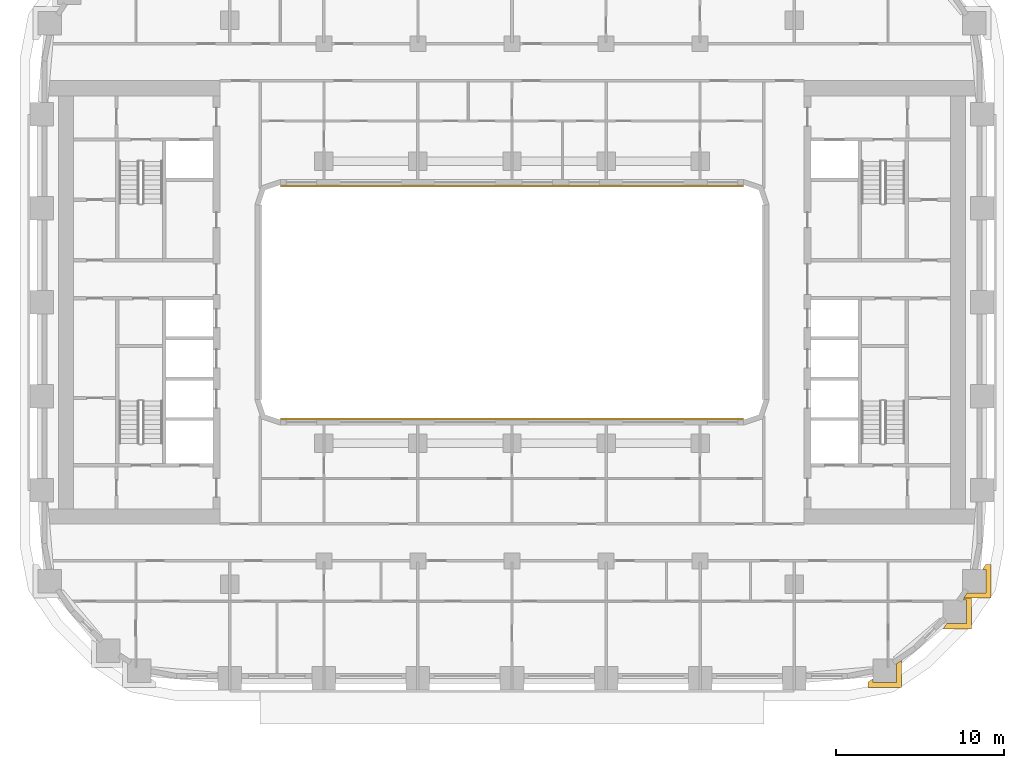
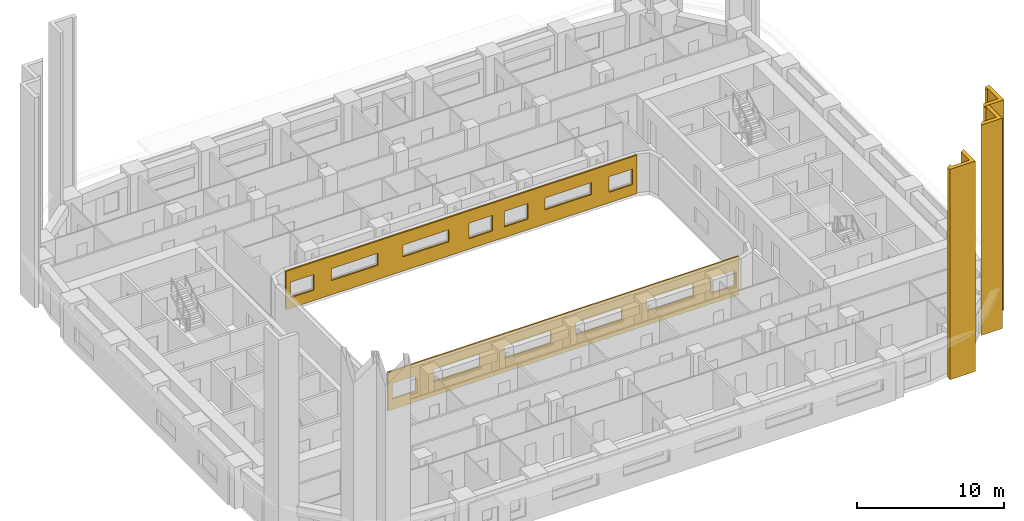
# One storey, part 16 of 22: 5 coverings.
"""IFC4 building model written with IfcOpenShell, lengths in metres."""

from ifc_helpers import new_model, si_unit, direction, frame, origin, place, context, subcontext, project, spatial, polyline, outline, extrude, material, layer, layer_set, type_object, element, save


model = new_model("IFC4")

# Units and contexts
model_context = context("Model", 3, precision=1e-05, world=origin(), true_north=direction((0.0, 1.0)))
body_context = subcontext(model_context, "Body", "Model", "MODEL_VIEW")
ifc_project = project(units=[si_unit("LENGTHUNIT", "METRE"), si_unit("AREAUNIT", "SQUARE_METRE"), si_unit("VOLUMEUNIT", "CUBIC_METRE"), si_unit("PLANEANGLEUNIT", "RADIAN"), si_unit("MASSUNIT", "GRAM", prefix="KILO")], contexts=[model_context])

# Site, building, storey
site_placement = place(None, origin())
site = spatial("IfcSite", under=ifc_project, at=site_placement, CompositionType="ELEMENT")
building_placement = place(site_placement, origin())
building = spatial("IfcBuilding", under=site, at=building_placement, Name="Kiln Ring Residences", CompositionType="ELEMENT")
storey_placement = place(building_placement, frame((0.0, 0.0, 55.0)))
storey = spatial("IfcBuildingStorey", under=building, at=storey_placement, Name="L13", CompositionType="ELEMENT", Elevation=55.0)

# Coverings
ifc_material_1 = material(Name="Brick masonry, dark clay brick", Category="masonry")
ifc_layer_1 = layer(ifc_material_1, 0.300048828125)
ifc_layer_set_1 = layer_set([ifc_layer_1], Name="PIER CLADDING 300")
covering_type_1 = type_object("IfcCoveringType", Name="PIER CLADDING 300", PredefinedType="CLADDING", material=ifc_layer_set_1)
placement = place(storey_placement, origin())
element("IfcCovering", 1, at=placement, inside=storey, type_object=covering_type_1, Name="PIER CLADDING L13-L17", PredefinedType="CLADDING", context=body_context, shape_type="SweptSolid", body=[
    extrude(outline(polyline([(21.5087890625, -22.413818359375), (21.208740234375, -22.61767578125), (21.208740234375, -22.93798828125), (23.208740234375, -22.93798828125), (23.208740234375, -21.306640625), (22.90869140625, -21.510498046875), (22.90869140625, -22.63818359375), (21.5087890625, -22.63818359375), (21.5087890625, -22.413818359375)])), origin(), (0.0, 0.0, 1.0), 17.5),
])
element("IfcCovering", 2, at=placement, inside=storey, type_object=covering_type_1, Name="PIER CLADDING L13-L17", PredefinedType="CLADDING", context=body_context, shape_type="SweptSolid", body=[
    extrude(outline(polyline([(27.35986328125, -19.440185546875), (27.35986328125, -17.440185546875), (27.039306640625, -17.440185546875), (26.83544921875, -17.740234375), (27.059814453125, -17.740234375), (27.059814453125, -19.14013671875), (25.884033203125, -19.14013671875), (25.68017578125, -19.440185546875), (27.35986328125, -19.440185546875)])), origin(), (0.0, 0.0, 1.0), 17.5),
])
element("IfcCovering", 3, at=placement, inside=storey, type_object=covering_type_1, Name="PIER CLADDING L13-L17", PredefinedType="CLADDING", context=body_context, shape_type="SweptSolid", body=[
    extrude(outline(polyline([(28.5380859375, -17.608642578125), (28.5380859375, -15.608642578125), (28.2177734375, -15.608642578125), (28.013916015625, -15.90869140625), (28.238037109375, -15.90869140625), (28.238037109375, -17.30859375), (27.110595703125, -17.30859375), (26.906494140625, -17.608642578125), (28.5380859375, -17.608642578125)])), origin(), (0.0, 0.0, 1.0), 17.5),
])
ifc_material_2 = material(Name="Brick masonry, dark clay brick", Category="masonry")
ifc_layer_2 = layer(ifc_material_2, 0.1201171875)
ifc_layer_set_2 = layer_set([ifc_layer_2], Name="RAINSCREEN PANEL 120")
covering_type_2 = type_object("IfcCoveringType", Name="RAINSCREEN PANEL 120", PredefinedType="CLADDING", material=ifc_layer_set_2)
covering_4_placement = place(storey_placement, frame((-13.800048828125, 6.93994140625, 0.0), z_axis=(0.0, 0.0, 1.0), x_axis=(1.0, 0.0, 0.0)))
element("IfcCovering", 4, at=covering_4_placement, inside=storey, type_object=covering_type_2, Name="RAINSCREEN L13", PredefinedType="CLADDING", context=body_context, shape_type="SweptSolid", body=[
    extrude(outline(polyline([(0.0, 0.0), (27.60009765625, 0.0), (27.60009765625, 3.199951171875), (0.0, 3.199951171875), (0.0, 0.0)]), holes=[polyline([(2.1826171875, 0.8798828125), (2.1826171875, 2.169921875), (0.342529296875, 2.169921875), (0.342529296875, 0.8798828125), (2.1826171875, 0.8798828125)]), polyline([(14.3798828125, 0.8798828125), (16.219970703125, 0.8798828125), (16.219970703125, 2.169921875), (14.3798828125, 2.169921875), (14.3798828125, 0.8798828125)]), polyline([(17.179931640625, 0.8798828125), (19.02001953125, 0.8798828125), (19.02001953125, 2.169921875), (17.179931640625, 2.169921875), (17.179931640625, 0.8798828125)]), polyline([(25.41748046875, 0.8798828125), (27.257568359375, 0.8798828125), (27.257568359375, 2.169921875), (25.41748046875, 2.169921875), (25.41748046875, 0.8798828125)]), polyline([(3.580078125, 1.179931640625), (7.219970703125, 1.179931640625), (7.219970703125, 2.169921875), (3.580078125, 2.169921875), (3.580078125, 1.179931640625)]), polyline([(9.179931640625, 1.179931640625), (12.820068359375, 1.179931640625), (12.820068359375, 2.169921875), (9.179931640625, 2.169921875), (9.179931640625, 1.179931640625)]), polyline([(20.3798828125, 1.179931640625), (24.02001953125, 1.179931640625), (24.02001953125, 2.169921875), (20.3798828125, 2.169921875), (20.3798828125, 1.179931640625)])]), frame((0.0, 0.06005859375, 0.0), z_axis=(0.0, -1.0, 0.0), x_axis=(1.0, 0.0, 0.0)), (0.0, 0.0, 1.0), 0.1201171875),
])
covering_5_placement = place(storey_placement, frame((13.800048828125, -6.93994140625, 0.0), z_axis=(0.0, 0.0, 1.0), x_axis=(-1.0, 0.0, 0.0)))
element("IfcCovering", 5, at=covering_5_placement, inside=storey, type_object=covering_type_2, Name="RAINSCREEN L13", PredefinedType="CLADDING", context=body_context, shape_type="SweptSolid", body=[
    extrude(outline(polyline([(0.0, 0.0), (27.60009765625, 0.0), (27.60009765625, 3.199951171875), (0.0, 3.199951171875), (0.0, 0.0)]), holes=[polyline([(2.1826171875, 0.8798828125), (2.1826171875, 2.169921875), (0.342529296875, 2.169921875), (0.342529296875, 0.8798828125), (2.1826171875, 0.8798828125)]), polyline([(25.41748046875, 0.8798828125), (27.257568359375, 0.8798828125), (27.257568359375, 2.169921875), (25.41748046875, 2.169921875), (25.41748046875, 0.8798828125)]), polyline([(3.580078125, 1.179931640625), (7.219970703125, 1.179931640625), (7.219970703125, 2.169921875), (3.580078125, 2.169921875), (3.580078125, 1.179931640625)]), polyline([(12.820068359375, 1.179931640625), (12.820068359375, 2.169921875), (9.179931640625, 2.169921875), (9.179931640625, 1.179931640625), (12.820068359375, 1.179931640625)]), polyline([(14.780029296875, 1.179931640625), (18.419921875, 1.179931640625), (18.419921875, 2.169921875), (14.780029296875, 2.169921875), (14.780029296875, 1.179931640625)]), polyline([(20.3798828125, 1.179931640625), (24.02001953125, 1.179931640625), (24.02001953125, 2.169921875), (20.3798828125, 2.169921875), (20.3798828125, 1.179931640625)])]), frame((0.0, 0.06005859375, 0.0), z_axis=(0.0, -1.0, 0.0), x_axis=(1.0, 0.0, 0.0)), (0.0, 0.0, 1.0), 0.1201171875),
])

save(model, "model.ifc")
